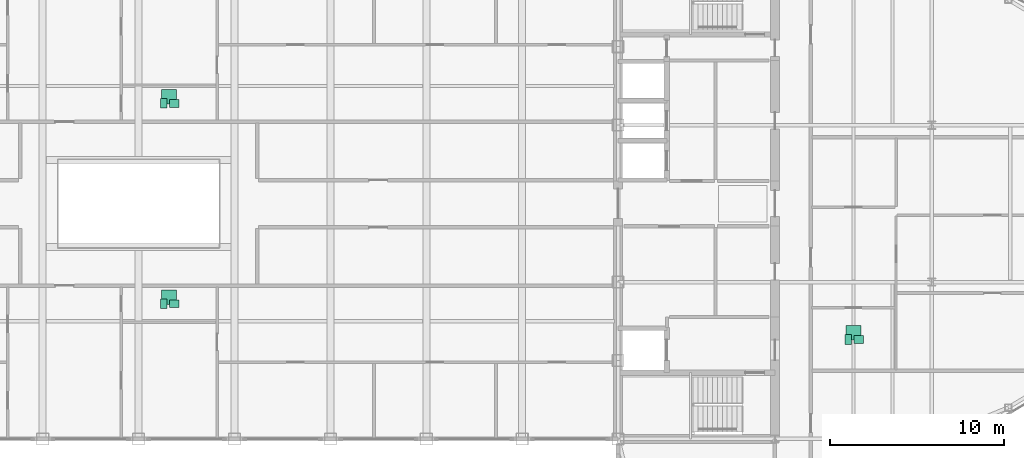
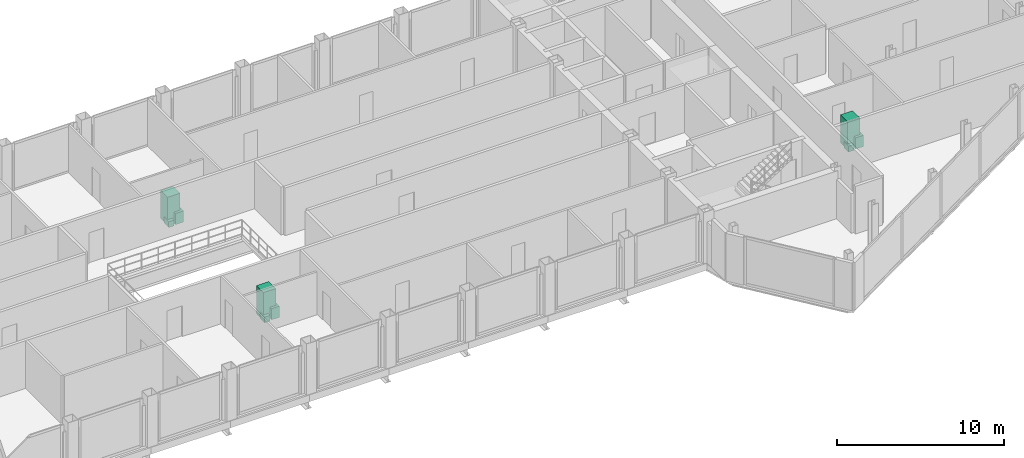
# One storey, part 28 of 28: 9 sanitary terminals.
"""IFC4 building model written with IfcOpenShell, lengths in metres."""

from ifc_helpers import new_model, si_unit, direction, frame, origin, origin_2d, place, context, subcontext, project, spatial, rectangle, extrude, source, transform, mapped, material, type_object, type_shapes, element, save


model = new_model("IFC4")

# Units and contexts
model_context = context("Model", 3, precision=1e-05, world=origin(), true_north=direction((0.0, 1.0)))
body_context = subcontext(model_context, "Body", "Model", "MODEL_VIEW")
ifc_project = project(units=[si_unit("LENGTHUNIT", "METRE"), si_unit("AREAUNIT", "SQUARE_METRE"), si_unit("VOLUMEUNIT", "CUBIC_METRE"), si_unit("PLANEANGLEUNIT", "RADIAN"), si_unit("MASSUNIT", "GRAM", prefix="KILO")], contexts=[model_context])

# Site, building, storey
site_placement = place(None, origin())
site = spatial("IfcSite", under=ifc_project, at=site_placement, CompositionType="ELEMENT")
building_placement = place(site_placement, origin())
building = spatial("IfcBuilding", under=site, at=building_placement, Name="Seokmaru Belvedere", CompositionType="ELEMENT")
storey_placement = place(building_placement, frame((0.0, 0.0, 265.64990234375)))
storey = spatial("IfcBuildingStorey", under=building, at=storey_placement, Name="L70", CompositionType="ELEMENT", Elevation=265.64990234375)

# Sanitary terminals
ifc_material_1 = material(Name="Vitreous China Sanitaryware")
sanitary_terminal_type_1 = type_object("IfcSanitaryTerminalType", Name="Wall-Hung Vitreous China WC Pan", PredefinedType="TOILETPAN", material=ifc_material_1)
shared_shape_1 = source(origin(), body_context, "Body", "SweptSolid", [
    extrude(rectangle(XDim=0.3798828125, YDim=0.56005859375, at=origin_2d()), origin(), (0.0, 0.0, 1.0), 0.419921875),
])
type_shapes(sanitary_terminal_type_1, [shared_shape_1])
for number, where, z_axis, x_axis, name in (
    (1, (40.699951171875, -7.7919921875, 0.000244140625), (0.0, 0.0, 1.0), (1.0, 0.0, 0.0), "L70 Vitreous China WC 0307"),
    (2, (1.449951171875, -5.75, 0.000244140625), (0.0, 0.0, 1.0), (1.0, 0.0, 0.0), "L70 Vitreous China WC 0308"),
    (3, (1.449951171875, 5.75, 0.000244140625), (0.0, 0.0, 1.0), (1.0, 0.0, 0.0), "L70 Vitreous China WC 0309"),
):
    element("IfcSanitaryTerminal", number, at=place(storey_placement, frame(where, z_axis=z_axis, x_axis=x_axis)), inside=storey, type_object=sanitary_terminal_type_1, Name=name, PredefinedType="TOILETPAN", context=body_context, shape_type="MappedRepresentation", body=[
        mapped(shared_shape_1, transform((0.0, 0.0, 0.0), scale=1.0)),
    ])
sanitary_terminal_type_2 = type_object("IfcSanitaryTerminalType", Name="Countertop Ceramic Washhand Basin", PredefinedType="WASHHANDBASIN", material=ifc_material_1)
shared_shape_2 = source(origin(), body_context, "Body", "SweptSolid", [
    extrude(rectangle(XDim=0.550048828125, YDim=0.449951171875, at=origin_2d()), origin(), (0.0, 0.0, 1.0), 0.820068359375),
])
type_shapes(sanitary_terminal_type_2, [shared_shape_2])
for number, where, z_axis, x_axis, name in (
    (4, (41.300048828125, -7.7919921875, 0.0), (0.0, 0.0, 1.0), (1.0, 0.0, 0.0), "L70 Ceramic Washhand Basin 0307"),
    (5, (2.050048828125, -5.75, 0.0), (0.0, 0.0, 1.0), (1.0, 0.0, 0.0), "L70 Ceramic Washhand Basin 0308"),
    (6, (2.050048828125, 5.75, 0.0), (0.0, 0.0, 1.0), (1.0, 0.0, 0.0), "L70 Ceramic Washhand Basin 0309"),
):
    element("IfcSanitaryTerminal", number, at=place(storey_placement, frame(where, z_axis=z_axis, x_axis=x_axis)), inside=storey, type_object=sanitary_terminal_type_2, Name=name, PredefinedType="WASHHANDBASIN", context=body_context, shape_type="MappedRepresentation", body=[
        mapped(shared_shape_2, transform((0.0, 0.0, 0.0), scale=1.0)),
    ])
ifc_material_2 = material(Name="Stainless Steel 316", Category="steel")
sanitary_terminal_type_3 = type_object("IfcSanitaryTerminalType", Name="Walk-In Thermostatic Rain Shower Enclosure", PredefinedType="SHOWER", material=ifc_material_2)
shared_shape_3 = source(origin(), body_context, "Body", "SweptSolid", [
    extrude(rectangle(XDim=0.85009765625, YDim=0.85009765625, at=origin_2d()), origin(), (0.0, 0.0, 1.0), 2.050048828125),
])
type_shapes(sanitary_terminal_type_3, [shared_shape_3])
for number, where, z_axis, x_axis, name in (
    (7, (41.0, -7.412109375, 0.0), (0.0, 0.0, 1.0), (1.0, 0.0, 0.0), "L70 Walk-In Shower 0307"),
    (8, (1.75, -5.3701171875, 0.0), (0.0, 0.0, 1.0), (1.0, 0.0, 0.0), "L70 Walk-In Shower 0308"),
    (9, (1.75, 6.1298828125, 0.0), (0.0, 0.0, 1.0), (1.0, 0.0, 0.0), "L70 Walk-In Shower 0309"),
):
    element("IfcSanitaryTerminal", number, at=place(storey_placement, frame(where, z_axis=z_axis, x_axis=x_axis)), inside=storey, type_object=sanitary_terminal_type_3, Name=name, PredefinedType="SHOWER", context=body_context, shape_type="MappedRepresentation", body=[
        mapped(shared_shape_3, transform((0.0, 0.0, 0.0), scale=1.0)),
    ])

save(model, "model.ifc")
